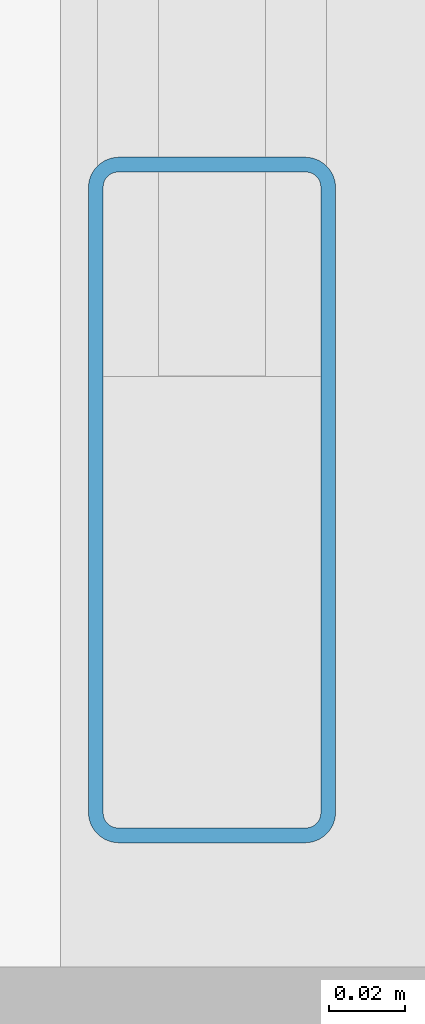
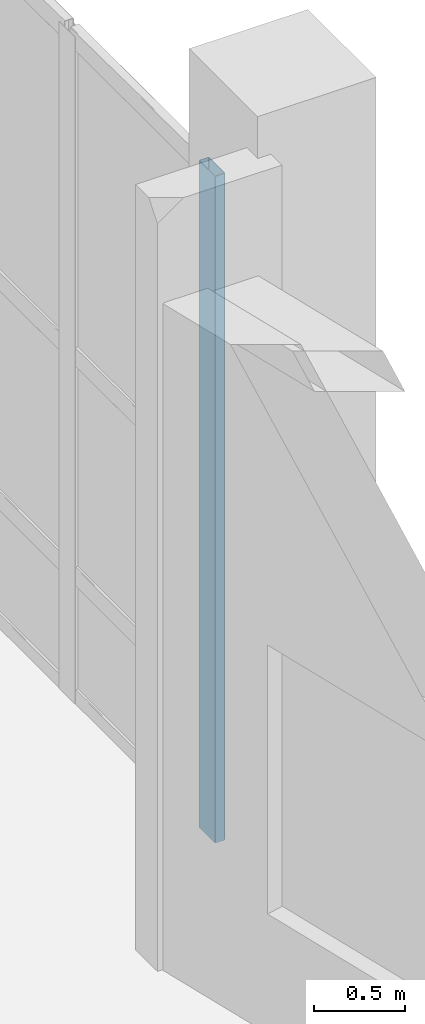
# One storey, part 46 of 137: 1 member, 1 element without a shape of its own.
"""IFC4 building model written with IfcOpenShell, lengths in metres."""

from ifc_helpers import new_model, si_unit, direction, frame, origin, origin_2d, place, context, subcontext, project, spatial, hollow_rectangle, extrude, material, material_profile, profile_set, type_object, element, aggregate, save


model = new_model("IFC4")

# Units and contexts
model_context = context("Model", 3, precision=1e-05, world=origin(), true_north=direction((0.0, 1.0)))
body_context = subcontext(model_context, "Body", "Model", "MODEL_VIEW")
ifc_project = project(units=[si_unit("LENGTHUNIT", "METRE"), si_unit("AREAUNIT", "SQUARE_METRE"), si_unit("VOLUMEUNIT", "CUBIC_METRE"), si_unit("PLANEANGLEUNIT", "RADIAN"), si_unit("MASSUNIT", "GRAM", prefix="KILO")], contexts=[model_context])

# Site, building, storey
site_placement = place(None, origin())
site = spatial("IfcSite", under=ifc_project, at=site_placement, CompositionType="ELEMENT")
building_placement = place(site_placement, origin())
building = spatial("IfcBuilding", under=site, at=building_placement, Name="Kalmorath City Hall", CompositionType="ELEMENT")
storey_placement = place(building_placement, origin())
storey = spatial("IfcBuildingStorey", under=building, at=storey_placement, Name="L00", CompositionType="ELEMENT", Elevation=0.0)

# Curtain wall, member
ifc_material_1 = material(Name="Anodised aluminium and laminated glass", Category="aluminium")
curtain_wall_type = type_object("IfcCurtainWallType", Name="Unitised hurricane curtain wall 6270x4461 M1600", PredefinedType="NOTDEFINED", material=ifc_material_1)
curtain_wall_placement = place(storey_placement, origin())
curtain_wall = element("IfcCurtainWall", 1, at=curtain_wall_placement, inside=storey, type_object=curtain_wall_type, Name="L00 curtain wall CW-63X45M16 #55", PredefinedType="NOTDEFINED")
ifc_material_2 = material(Name="Anodised aluminium framing", Category="aluminium")
ifc_material_profile = material_profile(ifc_material_2, hollow_rectangle(XDim=0.06494140625, YDim=0.179931640625, WallThickness=0.00390625, InnerFilletRadius=0.00390625, OuterFilletRadius=0.008056640625, at=origin_2d()), Name="ALU-MUL-180X65X4")
ifc_profile_set = profile_set([ifc_material_profile], Name="Anodised aluminium framing")
member_type = type_object("IfcMemberType", Name="Curtain-wall courtyard mullion 180x65", PredefinedType="MULLION", material=ifc_profile_set)
member_placement = place(storey_placement, frame((28.639892578125, 79.697509765625, 0.0), z_axis=(0.0, 0.0, 1.0), x_axis=(1.0, 0.0, 0.0)))
member = element("IfcMember", 2, at=member_placement, type_object=member_type, Name="CW-63X45M16 mullion 5", PredefinedType="MULLION", context=body_context, shape_type="SweptSolid", body=[
    extrude(hollow_rectangle(XDim=0.06494140625, YDim=0.179931640625, WallThickness=0.00390625, InnerFilletRadius=0.00390625, OuterFilletRadius=0.008056640625, at=origin_2d()), origin(), (0.0, 0.0, 1.0), 4.4609375),
])
aggregate(curtain_wall, [member])

save(model, "model.ifc")
